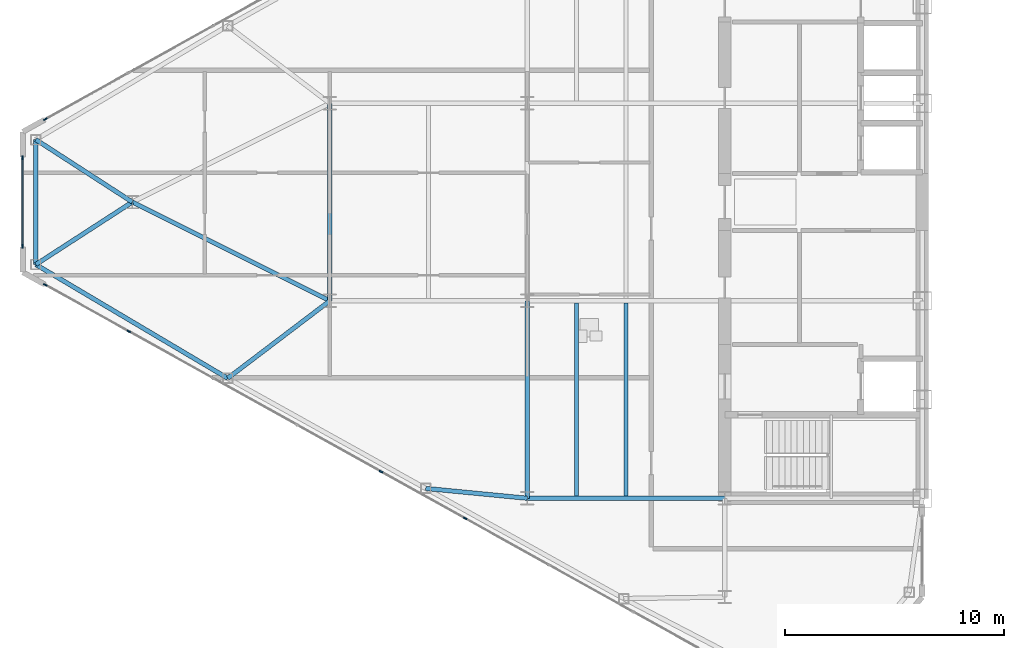
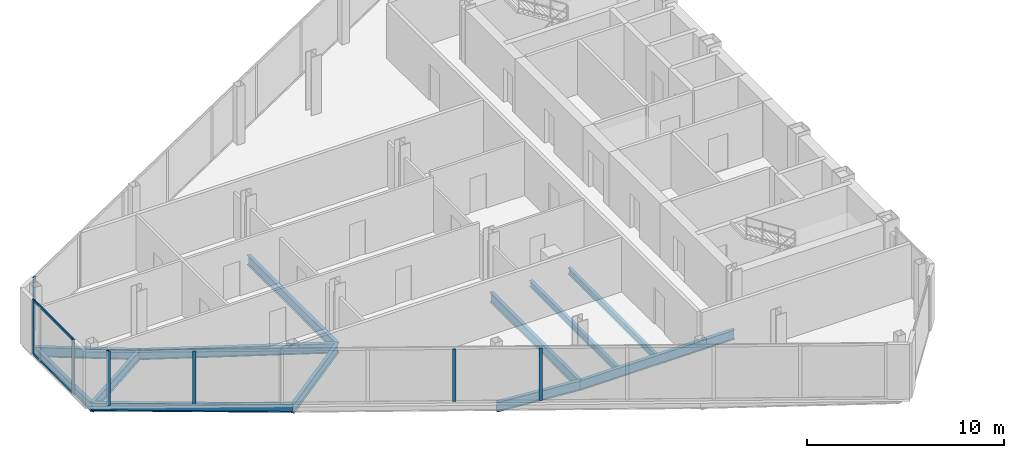
# One storey, part 5 of 26: 12 beams, 9 members, 3 elements without a shape of their own.
"""IFC4 building model written with IfcOpenShell, lengths in metres."""

from ifc_helpers import new_model, si_unit, direction, frame, origin, origin_2d, place, context, subcontext, project, spatial, rectangle, i_section, extrude, source, transform, mapped, material, layer, layer_set, material_profile, profile_set, type_object, type_shapes, element, aggregate, save


model = new_model("IFC4")

# Units and contexts
model_context = context("Model", 3, precision=1e-05, world=origin(), true_north=direction((0.0, 1.0)))
body_context = subcontext(model_context, "Body", "Model", "MODEL_VIEW")
ifc_project = project(units=[si_unit("LENGTHUNIT", "METRE"), si_unit("AREAUNIT", "SQUARE_METRE"), si_unit("VOLUMEUNIT", "CUBIC_METRE"), si_unit("PLANEANGLEUNIT", "RADIAN"), si_unit("MASSUNIT", "GRAM", prefix="KILO")], contexts=[model_context])

# Site, building, storey
site_placement = place(None, origin())
site = spatial("IfcSite", under=ifc_project, at=site_placement, CompositionType="ELEMENT")
building_placement = place(site_placement, origin())
building = spatial("IfcBuilding", under=site, at=building_placement, Name="Seokmaru Belvedere", CompositionType="ELEMENT")
storey_placement = place(building_placement, frame((0.0, 0.0, 174.300048828125)))
storey = spatial("IfcBuildingStorey", under=building, at=storey_placement, Name="L46", CompositionType="ELEMENT", Elevation=174.300048828125)

# Beams
ifc_material_1 = material(Name="Steel SM355 (355 MPa)", Category="steel")
ifc_material_profile_1 = material_profile(ifc_material_1, i_section(OverallWidth=0.199951171875, OverallDepth=0.60009765625, WebThickness=0.010986328125, FlangeThickness=0.01708984375, at=origin_2d()), Name="H-600x200x11x17")
ifc_profile_set_1 = profile_set([ifc_material_profile_1], Name="Steel SM355 (355 MPa)")
beam_type_1 = type_object("IfcBeamType", Name="Primary Floor Girder H-600", PredefinedType="BEAM", material=ifc_profile_set_1)
shared_shape_1 = source(origin(), body_context, "Body", "SweptSolid", [
    extrude(i_section(OverallWidth=0.199951171875, OverallDepth=0.60009765625, WebThickness=0.010986328125, FlangeThickness=0.01708984375, at=origin_2d()), origin(), (0.0, 0.0, 1.0), 9.0),
])
for number, where, z_axis, x_axis, name in (
    (1, (-45.5, -13.5, -0.52001953125), (0.0, 1.0, 0.0), (-1.0, 0.0, 0.0), "L46 W Interior Grid Girder 1"),
    (2, (-45.5, -13.5, -0.52001953125), (1.0, 0.0, 0.0), (0.0, 1.0, 0.0), "L46 W Wing Primary Girder 1"),
    (3, (-54.5, -4.5, -0.52001953125), (0.0, 1.0, 0.0), (-1.0, 0.0, 0.0), "L46 W Apex Frame Girder"),
):
    element("IfcBeam", number, at=place(storey_placement, frame(where, z_axis=z_axis, x_axis=x_axis)), inside=storey, type_object=beam_type_1, Name=name, PredefinedType="BEAM", context=body_context, shape_type="MappedRepresentation", body=[
        mapped(shared_shape_1, transform((0.0, 0.0, 0.0), scale=1.0)),
    ])
shared_shape_2 = source(origin(), body_context, "Body", "SweptSolid", [
    extrude(i_section(OverallWidth=0.199951171875, OverallDepth=0.60009765625, WebThickness=0.010986328125, FlangeThickness=0.01708984375, at=origin_2d()), origin(), (0.0, 0.0, 1.0), 10.062255859375),
])
beam_1_placement = place(storey_placement, frame((-54.5, -4.5, -0.52001953125), z_axis=(-0.894427191, 0.4472135955, 0.0), x_axis=(-0.4472135955, -0.894427191, 0.0)))
element("IfcBeam", 4, at=beam_1_placement, inside=storey, type_object=beam_type_1, Name="L46 W Apex Converging Girder 1", PredefinedType="BEAM", context=body_context, shape_type="MappedRepresentation", body=[
    mapped(shared_shape_2, transform((0.0, 0.0, 0.0), scale=1.0)),
])
ifc_material_profile_2 = material_profile(ifc_material_1, i_section(OverallWidth=0.18505859375, OverallDepth=0.389892578125, WebThickness=0.008056640625, FlangeThickness=0.011962890625, at=origin_2d()), Name="H-390x185x8x12")
ifc_profile_set_2 = profile_set([ifc_material_profile_2], Name="Steel SM355 (355 MPa)")
beam_type_2 = type_object("IfcBeamType", Name="Secondary Floor Joist H-350", PredefinedType="JOIST", material=ifc_profile_set_2)
shared_shape_3 = source(origin(), body_context, "Body", "SweptSolid", [
    extrude(i_section(OverallWidth=0.18505859375, OverallDepth=0.389892578125, WebThickness=0.008056640625, FlangeThickness=0.011962890625, at=origin_2d()), origin(), (0.0, 0.0, 1.0), 8.7900390625),
])
type_shapes(beam_type_2, [shared_shape_3])
for number, where, z_axis, x_axis, name in (
    (5, (-43.25, -13.39501953125, -0.4150390625), (0.0, 1.0, 0.0), (-1.0, 0.0, 0.0), "L46 W Wing Inner Secondary Joist 1"),
    (6, (-41.0, -13.39501953125, -0.4150390625), (0.0, 1.0, 0.0), (-1.0, 0.0, 0.0), "L46 W Secondary Floor Joist 1"),
):
    element("IfcBeam", number, at=place(storey_placement, frame(where, z_axis=z_axis, x_axis=x_axis)), inside=storey, type_object=beam_type_2, Name=name, PredefinedType="JOIST", context=body_context, shape_type="MappedRepresentation", body=[
        mapped(shared_shape_3, transform((0.0, 0.0, 0.0), scale=1.0)),
    ])
ifc_material_profile_3 = material_profile(ifc_material_1, i_section(OverallWidth=0.199951171875, OverallDepth=0.5, WebThickness=0.010009765625, FlangeThickness=0.01611328125, at=origin_2d()), Name="H-500x200x10x16")
ifc_profile_set_3 = profile_set([ifc_material_profile_3], Name="Steel SM355 (355 MPa)")
beam_type_3 = type_object("IfcBeamType", Name="Perimeter Spandrel Beam H-500", PredefinedType="SPANDREL", material=ifc_profile_set_3)
shared_shape_4 = source(origin(), body_context, "Body", "SweptSolid", [
    extrude(i_section(OverallWidth=0.199951171875, OverallDepth=0.5, WebThickness=0.010009765625, FlangeThickness=0.01611328125, at=origin_2d()), origin(), (0.0, 0.0, 1.0), 10.16650390625),
])
beam_2_placement = place(storey_placement, frame((-59.154541015625, -8.031494140625, -0.469970703125), z_axis=(-0.860209996506, 0.509939959124, 0.0), x_axis=(-0.509939959124, -0.860209996506, 0.0)))
element("IfcBeam", 7, at=beam_2_placement, inside=storey, type_object=beam_type_3, Name="L46 W Faceted Flank Spandrel S-4", PredefinedType="SPANDREL", context=body_context, shape_type="MappedRepresentation", body=[
    mapped(shared_shape_4, transform((0.0, 0.0, 0.0), scale=1.0)),
])
shared_shape_5 = source(origin(), body_context, "Body", "SweptSolid", [
    extrude(i_section(OverallWidth=0.199951171875, OverallDepth=0.5, WebThickness=0.010009765625, FlangeThickness=0.01611328125, at=origin_2d()), origin(), (0.0, 0.0, 1.0), 5.6943359375),
])
type_shapes(beam_type_3, [shared_shape_4, shared_shape_5])
beam_3_placement = place(storey_placement, frame((-67.89990234375, -2.84716796875, -0.469970703125), z_axis=(0.0, 1.0, 0.0), x_axis=(-1.0, 0.0, 0.0)))
element("IfcBeam", 8, at=beam_3_placement, inside=storey, type_object=beam_type_3, Name="L46 W Faceted Apex Spandrel", PredefinedType="SPANDREL", context=body_context, shape_type="MappedRepresentation", body=[
    mapped(shared_shape_5, transform((0.0, 0.0, 0.0), scale=1.0)),
])
shared_shape_6 = source(origin(), body_context, "Body", "SweptSolid", [
    extrude(i_section(OverallWidth=0.199951171875, OverallDepth=0.60009765625, WebThickness=0.010986328125, FlangeThickness=0.01708984375, at=origin_2d()), origin(), (0.0, 0.0, 1.0), 4.65087890625),
])
beam_4_placement = place(storey_placement, frame((-50.129150390625, -13.051025390625, -0.52001953125), z_axis=(0.995329534874, -0.09653557379, 0.0), x_axis=(0.09653557379, 0.995329534874, 0.0)))
element("IfcBeam", 9, at=beam_4_placement, inside=storey, type_object=beam_type_1, Name="L46 W Flank Radial Floor Girder S-2", PredefinedType="BEAM", context=body_context, shape_type="MappedRepresentation", body=[
    mapped(shared_shape_6, transform((0.0, 0.0, 0.0), scale=1.0)),
])
shared_shape_7 = source(origin(), body_context, "Body", "SweptSolid", [
    extrude(i_section(OverallWidth=0.199951171875, OverallDepth=0.60009765625, WebThickness=0.010986328125, FlangeThickness=0.01708984375, at=origin_2d()), origin(), (0.0, 0.0, 1.0), 5.842529296875),
])
beam_5_placement = place(storey_placement, frame((-59.154541015625, -8.031494140625, -0.52001953125), z_axis=(0.796653109879, 0.604436781243, 0.0), x_axis=(-0.604436781243, 0.796653109879, 0.0)))
element("IfcBeam", 10, at=beam_5_placement, inside=storey, type_object=beam_type_1, Name="L46 W Flank Radial Floor Girder S-3", PredefinedType="BEAM", context=body_context, shape_type="MappedRepresentation", body=[
    mapped(shared_shape_7, transform((0.0, 0.0, 0.0), scale=1.0)),
])
shared_shape_8 = source(origin(), body_context, "Body", "SweptSolid", [
    extrude(i_section(OverallWidth=0.199951171875, OverallDepth=0.60009765625, WebThickness=0.010986328125, FlangeThickness=0.01708984375, at=origin_2d()), origin(), (0.0, 0.0, 1.0), 5.24072265625),
])
type_shapes(beam_type_1, [shared_shape_1, shared_shape_2, shared_shape_6, shared_shape_7, shared_shape_8])
for number, where, z_axis, x_axis, name in (
    (11, (-67.89990234375, -2.84716796875, -0.52001953125), (0.839555158729, 0.543274456836, 0.0), (-0.543274456836, 0.839555158729, 0.0), "L46 W Apex Radial Floor Girder 1"),
    (12, (-67.89990234375, 2.84716796875, -0.52001953125), (0.839555158729, -0.543274456836, 0.0), (0.543274456836, 0.839555158729, 0.0), "L46 W Apex Radial Floor Girder 2"),
):
    element("IfcBeam", number, at=place(storey_placement, frame(where, z_axis=z_axis, x_axis=x_axis)), inside=storey, type_object=beam_type_1, Name=name, PredefinedType="BEAM", context=body_context, shape_type="MappedRepresentation", body=[
        mapped(shared_shape_8, transform((0.0, 0.0, 0.0), scale=1.0)),
    ])

# Curtain wall, members
ifc_material_2 = material(Name="Bronze Triple Insulating Glass", Category="glass")
ifc_layer = layer(ifc_material_2, 0.179931640625)
ifc_layer_set = layer_set([ifc_layer], Name="Bronze Triple Insulating Glass")
curtain_wall_type = type_object("IfcCurtainWallType", Name="High-Rise Wind-Corner Curtain Wall System CW-5", PredefinedType="NOTDEFINED", material=ifc_layer_set)
curtain_wall_1_placement = place(storey_placement, origin())
curtain_wall_1 = element("IfcCurtainWall", 13, at=curtain_wall_1_placement, inside=storey, type_object=curtain_wall_type, Name="L46 Curtain Wall WF4", PredefinedType="NOTDEFINED")
ifc_material_3 = material(Name="Anodised Bronze Aluminium", Category="aluminium")
ifc_material_profile_4 = material_profile(ifc_material_3, rectangle(XDim=0.06494140625, YDim=0.14990234375, at=origin_2d()), Name="CW-T-65x150")
ifc_profile_set_4 = profile_set([ifc_material_profile_4], Name="Anodised Bronze Aluminium")
member_type_1 = type_object("IfcMemberType", Name="Bronze Unitised Transom 65x150", PredefinedType="USERDEFINED", material=ifc_profile_set_4)
shared_shape_9 = source(origin(), body_context, "Body", "SweptSolid", [
    extrude(rectangle(XDim=0.06494140625, YDim=0.14990234375, at=origin_2d()), origin(), (0.0, 0.0, 1.0), 3.97021484375),
])
type_shapes(member_type_1, [shared_shape_9])
member_1_placement = place(storey_placement, frame((-68.5, 1.985107421875, 0.032470703125), z_axis=(0.0, -1.0, 0.0), x_axis=(1.0, 0.0, 0.0)))
member_1 = element("IfcMember", 14, at=member_1_placement, type_object=member_type_1, Name="CW:L46:WF4 Continuous Transom 1", ObjectType="TRANSOM", PredefinedType="USERDEFINED", context=body_context, shape_type="MappedRepresentation", body=[
    mapped(shared_shape_9, transform((0.0, 0.0, 0.0), scale=1.0)),
])
member_2_placement = place(storey_placement, frame((-68.5, 1.985107421875, 3.347412109375), z_axis=(0.0, -1.0, 0.0), x_axis=(1.0, 0.0, 0.0)))
member_2 = element("IfcMember", 15, at=member_2_placement, type_object=member_type_1, Name="CW:L46:WF4 Continuous Transom 2", ObjectType="TRANSOM", PredefinedType="USERDEFINED", context=body_context, shape_type="MappedRepresentation", body=[
    mapped(shared_shape_9, transform((0.0, 0.0, 0.0), scale=1.0)),
])

# Curtain wall, member
curtain_wall_2_placement = place(storey_placement, origin())
curtain_wall_2 = element("IfcCurtainWall", 16, at=curtain_wall_2_placement, inside=storey, type_object=curtain_wall_type, Name="L46 Curtain Wall WF3", PredefinedType="NOTDEFINED")
ifc_material_profile_5 = material_profile(ifc_material_3, rectangle(XDim=0.06494140625, YDim=0.179931640625, at=origin_2d()), Name="CW-M-65x180")
ifc_profile_set_5 = profile_set([ifc_material_profile_5], Name="Anodised Bronze Aluminium")
member_type_2 = type_object("IfcMemberType", Name="Bronze Unitised Mullion 65x180", PredefinedType="MULLION", material=ifc_profile_set_5)
shared_shape_10 = source(origin(), body_context, "Body", "SweptSolid", [
    extrude(rectangle(XDim=0.06494140625, YDim=0.179931640625, at=origin_2d()), origin(), (0.0, 0.0, 1.0), 3.3798828125),
])
member_3_placement = place(storey_placement, frame((-67.466552734375, 3.77490234375, 0.0), z_axis=(0.0, 0.0, 1.0), x_axis=(0.486047125147, -0.873932601598, 0.0)))
member_3 = element("IfcMember", 17, at=member_3_placement, type_object=member_type_2, Name="CW:L46:WF3 Mullion 10", PredefinedType="MULLION", context=body_context, shape_type="MappedRepresentation", body=[
    mapped(shared_shape_10, transform((0.0, 0.0, 0.0), scale=1.0)),
])
aggregate(curtain_wall_2, [member_3])

# Member
member_4_placement = place(storey_placement, frame((-68.5, 2.017578125, 0.0), z_axis=(0.0, 0.0, 1.0), x_axis=(1.0, 0.0, 0.0)))
member_4 = element("IfcMember", 18, at=member_4_placement, type_object=member_type_2, Name="CW:L46:WF4 Mullion 1", PredefinedType="MULLION", context=body_context, shape_type="MappedRepresentation", body=[
    mapped(shared_shape_10, transform((0.0, 0.0, 0.0), scale=1.0)),
])

member_5_placement = place(storey_placement, frame((-68.5, -2.017578125, 0.0), z_axis=(0.0, 0.0, 1.0), x_axis=(1.0, 0.0, 0.0)))
member_5 = element("IfcMember", 19, at=member_5_placement, type_object=member_type_2, Name="CW:L46:WF4 Mullion 2", PredefinedType="MULLION", context=body_context, shape_type="MappedRepresentation", body=[
    mapped(shared_shape_10, transform((0.0, 0.0, 0.0), scale=1.0)),
])

aggregate(curtain_wall_1, [member_4, member_5, member_1, member_2])

# Curtain wall, members
curtain_wall_3_placement = place(storey_placement, origin())
curtain_wall_3 = element("IfcCurtainWall", 20, at=curtain_wall_3_placement, inside=storey, type_object=curtain_wall_type, Name="L46 Curtain Wall WF5", PredefinedType="NOTDEFINED")
member_6_placement = place(storey_placement, frame((-67.466552734375, -3.77490234375, 0.0), z_axis=(0.0, 0.0, 1.0), x_axis=(0.486047125147, 0.873932601598, 0.0)))
member_6 = element("IfcMember", 21, at=member_6_placement, type_object=member_type_2, Name="CW:L46:WF5 Mullion 1", PredefinedType="MULLION", context=body_context, shape_type="MappedRepresentation", body=[
    mapped(shared_shape_10, transform((0.0, 0.0, 0.0), scale=1.0)),
])
shared_shape_11 = source(origin(), body_context, "Body", "SweptSolid", [
    extrude(rectangle(XDim=0.06494140625, YDim=0.179931640625, at=origin_2d()), origin(), (0.0, 0.0, 1.0), 3.25),
])
type_shapes(member_type_2, [shared_shape_10, shared_shape_11])
member_7_placement = place(storey_placement, frame((-63.662841796875, -5.890380859375, 0.06494140625), z_axis=(0.0, 0.0, 1.0), x_axis=(0.486047125147, 0.873932601598, 0.0)))
member_7 = element("IfcMember", 22, at=member_7_placement, type_object=member_type_2, Name="CW:L46:WF5 Mullion 2", PredefinedType="MULLION", context=body_context, shape_type="MappedRepresentation", body=[
    mapped(shared_shape_11, transform((0.0, 0.0, 0.0), scale=1.0)),
])
member_8_placement = place(storey_placement, frame((-52.166015625, -12.2841796875, 0.06494140625), z_axis=(0.0, 0.0, 1.0), x_axis=(0.486047125147, 0.873932601598, 0.0)))
member_8 = element("IfcMember", 23, at=member_8_placement, type_object=member_type_2, Name="CW:L46:WF5 Mullion 5", PredefinedType="MULLION", context=body_context, shape_type="MappedRepresentation", body=[
    mapped(shared_shape_11, transform((0.0, 0.0, 0.0), scale=1.0)),
])
member_9_placement = place(storey_placement, frame((-48.333984375, -14.415771484375, 0.06494140625), z_axis=(0.0, 0.0, 1.0), x_axis=(0.486047125147, 0.873932601598, 0.0)))
member_9 = element("IfcMember", 24, at=member_9_placement, type_object=member_type_2, Name="CW:L46:WF5 Mullion 6", PredefinedType="MULLION", context=body_context, shape_type="MappedRepresentation", body=[
    mapped(shared_shape_11, transform((0.0, 0.0, 0.0), scale=1.0)),
])
aggregate(curtain_wall_3, [member_6, member_7, member_8, member_9])

save(model, "model.ifc")
